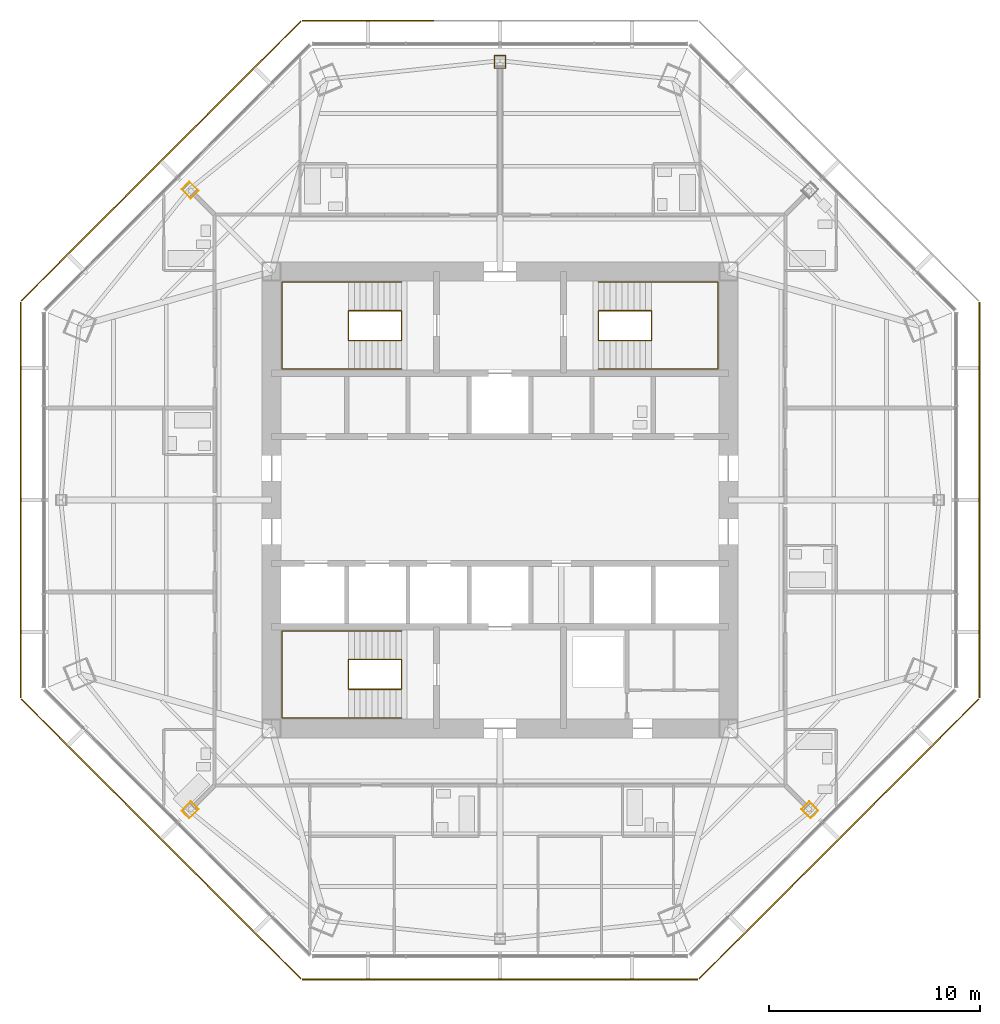
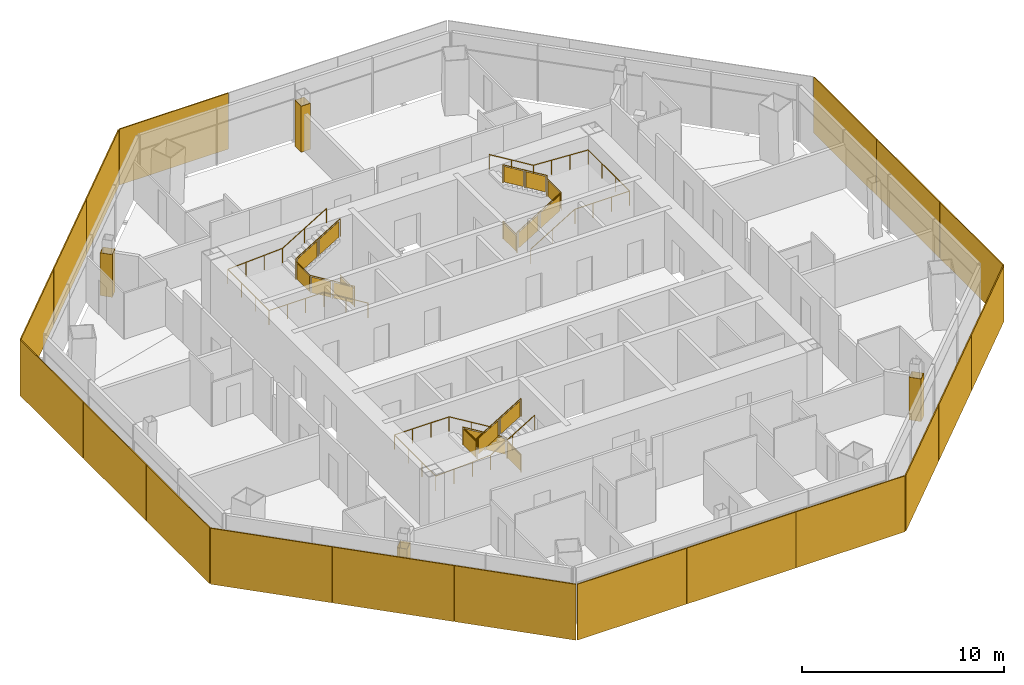
# One storey, part 13 of 15: 19 shading devices, 6 railings, 4 coverings.
"""IFC4 building model written with IfcOpenShell, lengths in metres."""

from ifc_helpers import new_model, si_unit, direction, frame, origin, origin_2d, place, context, subcontext, project, spatial, polyline, rectangle, circle, outline, extrude, source, transform, mapped, material, layer, layer_set, type_object, type_shapes, element, save


model = new_model("IFC4")

# Units and contexts
model_context = context("Model", 3, precision=1e-05, world=origin(), true_north=direction((0.0, 1.0)))
body_context = subcontext(model_context, "Body", "Model", "MODEL_VIEW")
ifc_project = project(units=[si_unit("LENGTHUNIT", "METRE"), si_unit("AREAUNIT", "SQUARE_METRE"), si_unit("VOLUMEUNIT", "CUBIC_METRE"), si_unit("PLANEANGLEUNIT", "RADIAN"), si_unit("MASSUNIT", "GRAM", prefix="KILO")], contexts=[model_context])

# Site, building, storey
site_placement = place(None, origin())
site = spatial("IfcSite", under=ifc_project, at=site_placement, CompositionType="ELEMENT")
building_placement = place(site_placement, origin())
building = spatial("IfcBuilding", under=site, at=building_placement, Name="Mashrafa Tower", CompositionType="ELEMENT")
storey_placement = place(building_placement, frame((0.0, 0.0, 227.800048828125)))
storey = spatial("IfcBuildingStorey", under=building, at=storey_placement, Name="L53", CompositionType="ELEMENT", Elevation=227.800048828125)

# Coverings
ifc_material_1 = material(Name="Gypsum board")
ifc_layer_1 = layer(ifc_material_1, 0.014892578125)
ifc_layer_set_1 = layer_set([ifc_layer_1], Name="Column casing plasterboard 15")
covering_type = type_object("IfcCoveringType", Name="Column casing plasterboard 15", PredefinedType="CLADDING", material=ifc_layer_set_1)
covering_1_placement = place(storey_placement, origin())
element("IfcCovering", 1, at=covering_1_placement, inside=storey, type_object=covering_type, Name="Column casing L53-002", PredefinedType="CLADDING", context=body_context, shape_type="SweptSolid", body=[
    extrude(outline(polyline([(-0.264892578125, 21.03564453125), (0.264892578125, 21.03564453125), (0.264892578125, 20.4091796875), (-0.264892578125, 20.4091796875), (-0.264892578125, 21.03564453125)]), holes=[polyline([(0.25, 20.42431640625), (0.25, 21.020751953125), (-0.25, 21.020751953125), (-0.25, 20.42431640625), (0.25, 20.42431640625)])]), origin(), (0.0, 0.0, 1.0), 2.783447265625),
])
covering_2_placement = place(storey_placement, origin())
element("IfcCovering", 2, at=covering_2_placement, inside=storey, type_object=covering_type, Name="Column casing L53-003", PredefinedType="CLADDING", context=body_context, shape_type="SweptSolid", body=[
    extrude(outline(polyline([(-15.06201171875, 14.68701171875), (-14.68701171875, 15.06201171875), (-14.244140625, 14.618896484375), (-14.618896484375, 14.244140625), (-15.06201171875, 14.68701171875)]), holes=[polyline([(-14.265380859375, 14.618896484375), (-14.68701171875, 15.04052734375), (-15.04052734375, 14.68701171875), (-14.618896484375, 14.265380859375), (-14.265380859375, 14.618896484375)])]), origin(), (0.0, 0.0, 1.0), 2.582763671875),
])
covering_3_placement = place(storey_placement, origin())
element("IfcCovering", 3, at=covering_3_placement, inside=storey, type_object=covering_type, Name="Column casing L53-004", PredefinedType="CLADDING", context=body_context, shape_type="SweptSolid", body=[
    extrude(outline(polyline([(-15.06201171875, -14.68701171875), (-14.618896484375, -14.244140625), (-14.244140625, -14.618896484375), (-14.68701171875, -15.06201171875), (-15.06201171875, -14.68701171875)]), holes=[polyline([(-14.265380859375, -14.618896484375), (-14.618896484375, -14.265380859375), (-15.04052734375, -14.68701171875), (-14.68701171875, -15.04052734375), (-14.265380859375, -14.618896484375)])]), origin(), (0.0, 0.0, 1.0), 2.582763671875),
])
covering_4_placement = place(storey_placement, origin())
element("IfcCovering", 4, at=covering_4_placement, inside=storey, type_object=covering_type, Name="Column casing L53-005", PredefinedType="CLADDING", context=body_context, shape_type="SweptSolid", body=[
    extrude(outline(polyline([(14.244140625, -14.618896484375), (14.618896484375, -14.244140625), (15.06201171875, -14.68701171875), (14.68701171875, -15.06201171875), (14.244140625, -14.618896484375)]), holes=[polyline([(15.04052734375, -14.68701171875), (14.618896484375, -14.265380859375), (14.265380859375, -14.618896484375), (14.68701171875, -15.04052734375), (15.04052734375, -14.68701171875)])]), origin(), (0.0, 0.0, 1.0), 2.582763671875),
])

# Railings
ifc_material_2 = material(Name="Steel guard with glass infill", Category="steel")
railing_type_1 = type_object("IfcRailingType", Name="Stair guard 1100", PredefinedType="GUARDRAIL", material=ifc_material_2)
railing_1_placement = place(storey_placement, frame((-4.64990234375, 8.949951171875, 0.0)))
element("IfcRailing", 5, at=railing_1_placement, inside=storey, type_object=railing_type_1, Name="Stair S1 guard L53", PredefinedType="GUARDRAIL", context=body_context, shape_type="SweptSolid", body=[
    extrude(circle(Radius=0.02392578125, at=origin_2d()), frame((0.0, 0.0, 1.076171875), z_axis=(0.0, -1.0, 0.0), x_axis=(1.0, 0.0, 0.0)), (0.0, 0.0, 1.0), 1.39990234375),
    extrude(circle(Radius=0.02392578125, at=origin_2d()), frame((0.0, -1.39990234375, 1.076171875), z_axis=(0.0, 0.0, 1.0), x_axis=(1.0, 0.0, 0.0)), (0.0, 0.0, 1.0), 0.169921875),
    extrude(circle(Radius=0.02392578125, at=origin_2d()), frame((0.0, -1.39990234375, 1.24609375), z_axis=(-0.85478489116, 0.0, 0.518982456201), x_axis=(0.0, -1.0, 0.0)), (0.0, 0.0, 1.0), 2.9482421875),
    extrude(circle(Radius=0.02392578125, at=origin_2d()), frame((-2.52001953125, -1.39990234375, 2.77587890625), z_axis=(0.0, 1.0, 0.0), x_axis=(-1.0, 0.0, 0.0)), (0.0, 0.0, 1.0), 1.39990234375),
    extrude(circle(Radius=0.02392578125, at=origin_2d()), frame((-2.52001953125, 0.0, 2.77587890625), z_axis=(0.0, 0.0, 1.0), x_axis=(1.0, 0.0, 0.0)), (0.0, 0.0, 1.0), 0.169921875),
    extrude(circle(Radius=0.02392578125, at=origin_2d()), frame((-2.52001953125, 0.0, 2.94580078125), z_axis=(0.85478489116, 0.0, 0.518982456201), x_axis=(0.0, 1.0, 0.0)), (0.0, 0.0, 1.0), 2.9482421875),
    extrude(circle(Radius=0.02099609375, at=origin_2d()), origin(), (0.0, 0.0, 1.0), 1.052001953125),
    extrude(circle(Radius=0.02099609375, at=origin_2d()), frame((0.0, -1.39990234375, 0.0)), (0.0, 0.0, 1.0), 1.052001953125),
    extrude(circle(Radius=0.02099609375, at=origin_2d()), frame((0.0, -1.39990234375, 0.169921875)), (0.0, 0.0, 1.0), 1.052001953125),
    extrude(circle(Radius=0.02099609375, at=origin_2d()), frame((-1.260009765625, -1.39990234375, 0.93505859375)), (0.0, 0.0, 1.0), 1.052001953125),
    extrude(circle(Radius=0.02099609375, at=origin_2d()), frame((-2.52001953125, -1.39990234375, 1.699951171875)), (0.0, 0.0, 1.0), 1.052001953125),
    extrude(circle(Radius=0.02099609375, at=origin_2d()), frame((-2.52001953125, 0.0, 1.699951171875)), (0.0, 0.0, 1.0), 1.052001953125),
    extrude(circle(Radius=0.02099609375, at=origin_2d()), frame((-2.52001953125, 0.0, 1.869873046875)), (0.0, 0.0, 1.0), 1.052001953125),
    extrude(circle(Radius=0.02099609375, at=origin_2d()), frame((-1.260009765625, 0.0, 2.634765625)), (0.0, 0.0, 1.0), 1.052001953125),
    extrude(circle(Radius=0.02099609375, at=origin_2d()), frame((0.0, 0.0, 3.39990234375)), (0.0, 0.0, 1.0), 1.052001953125),
    extrude(outline(polyline([(0.071044921875, 0.050048828125), (1.328857421875, 0.050048828125), (1.328857421875, 1.001953125), (0.071044921875, 1.001953125), (0.071044921875, 0.050048828125)])), frame((-0.006103515625, 0.0, 0.0), z_axis=(-1.0, 0.0, 0.0), x_axis=(0.0, -1.0, 0.0)), (0.0, 0.0, 1.0), 0.011962890625),
    extrude(outline(polyline([(0.071044921875, 0.093017578125), (1.18896484375, 0.77197265625), (1.18896484375, 1.723876953125), (0.071044921875, 1.045166015625), (0.071044921875, 0.093017578125)])), frame((0.0, -1.393798828125, 0.169921875), z_axis=(0.0, 1.0, 0.0), x_axis=(-1.0, 0.0, 0.0)), (0.0, 0.0, 1.0), 0.011962890625),
    extrude(outline(polyline([(1.3310546875, 0.858154296875), (2.448974609375, 1.536865234375), (2.448974609375, 2.489013671875), (1.3310546875, 1.81005859375), (1.3310546875, 0.858154296875)])), frame((0.0, -1.393798828125, 0.169921875), z_axis=(0.0, 1.0, 0.0), x_axis=(-1.0, 0.0, 0.0)), (0.0, 0.0, 1.0), 0.011962890625),
    extrude(outline(polyline([(0.071044921875, 0.050048828125), (1.328857421875, 0.050048828125), (1.328857421875, 1.001953125), (0.071044921875, 1.001953125), (0.071044921875, 0.050048828125)])), frame((-2.513916015625, -1.39990234375, 1.699951171875), z_axis=(1.0, 0.0, 0.0), x_axis=(0.0, 1.0, 0.0)), (0.0, 0.0, 1.0), 0.011962890625),
    extrude(outline(polyline([(0.071044921875, 0.093017578125), (1.18896484375, 0.77197265625), (1.18896484375, 1.723876953125), (0.071044921875, 1.045166015625), (0.071044921875, 0.093017578125)])), frame((-2.52001953125, -0.006103515625, 1.869873046875), z_axis=(0.0, -1.0, 0.0), x_axis=(1.0, 0.0, 0.0)), (0.0, 0.0, 1.0), 0.011962890625),
    extrude(outline(polyline([(1.3310546875, 0.858154296875), (2.448974609375, 1.536865234375), (2.448974609375, 2.489013671875), (1.3310546875, 1.81005859375), (1.3310546875, 0.858154296875)])), frame((-2.52001953125, -0.006103515625, 1.869873046875), z_axis=(0.0, -1.0, 0.0), x_axis=(1.0, 0.0, 0.0)), (0.0, 0.0, 1.0), 0.011962890625),
])
railing_2_placement = place(storey_placement, frame((4.64990234375, 8.949951171875, 0.0)))
element("IfcRailing", 6, at=railing_2_placement, inside=storey, type_object=railing_type_1, Name="Stair S2 guard L53", PredefinedType="GUARDRAIL", context=body_context, shape_type="SweptSolid", body=[
    extrude(circle(Radius=0.02392578125, at=origin_2d()), frame((0.0, 0.0, 1.076171875), z_axis=(0.0, -1.0, 0.0), x_axis=(1.0, 0.0, 0.0)), (0.0, 0.0, 1.0), 1.39990234375),
    extrude(circle(Radius=0.02392578125, at=origin_2d()), frame((0.0, -1.39990234375, 1.076171875), z_axis=(0.0, 0.0, 1.0), x_axis=(1.0, 0.0, 0.0)), (0.0, 0.0, 1.0), 0.169921875),
    extrude(circle(Radius=0.02392578125, at=origin_2d()), frame((0.0, -1.39990234375, 1.24609375), z_axis=(0.85478489116, 0.0, 0.518982456201), x_axis=(0.0, 1.0, 0.0)), (0.0, 0.0, 1.0), 2.9482421875),
    extrude(circle(Radius=0.02392578125, at=origin_2d()), frame((2.52001953125, -1.39990234375, 2.77587890625), z_axis=(0.0, 1.0, 0.0), x_axis=(-1.0, 0.0, 0.0)), (0.0, 0.0, 1.0), 1.39990234375),
    extrude(circle(Radius=0.02392578125, at=origin_2d()), frame((2.52001953125, 0.0, 2.77587890625), z_axis=(0.0, 0.0, 1.0), x_axis=(1.0, 0.0, 0.0)), (0.0, 0.0, 1.0), 0.169921875),
    extrude(circle(Radius=0.02392578125, at=origin_2d()), frame((2.52001953125, 0.0, 2.94580078125), z_axis=(-0.85478489116, 0.0, 0.518982456201), x_axis=(0.0, -1.0, 0.0)), (0.0, 0.0, 1.0), 2.9482421875),
    extrude(circle(Radius=0.02099609375, at=origin_2d()), origin(), (0.0, 0.0, 1.0), 1.052001953125),
    extrude(circle(Radius=0.02099609375, at=origin_2d()), frame((0.0, -1.39990234375, 0.0)), (0.0, 0.0, 1.0), 1.052001953125),
    extrude(circle(Radius=0.02099609375, at=origin_2d()), frame((0.0, -1.39990234375, 0.169921875)), (0.0, 0.0, 1.0), 1.052001953125),
    extrude(circle(Radius=0.02099609375, at=origin_2d()), frame((1.260009765625, -1.39990234375, 0.93505859375)), (0.0, 0.0, 1.0), 1.052001953125),
    extrude(circle(Radius=0.02099609375, at=origin_2d()), frame((2.52001953125, -1.39990234375, 1.699951171875)), (0.0, 0.0, 1.0), 1.052001953125),
    extrude(circle(Radius=0.02099609375, at=origin_2d()), frame((2.52001953125, 0.0, 1.699951171875)), (0.0, 0.0, 1.0), 1.052001953125),
    extrude(circle(Radius=0.02099609375, at=origin_2d()), frame((2.52001953125, 0.0, 1.869873046875)), (0.0, 0.0, 1.0), 1.052001953125),
    extrude(circle(Radius=0.02099609375, at=origin_2d()), frame((1.260009765625, 0.0, 2.634765625)), (0.0, 0.0, 1.0), 1.052001953125),
    extrude(circle(Radius=0.02099609375, at=origin_2d()), frame((0.0, 0.0, 3.39990234375)), (0.0, 0.0, 1.0), 1.052001953125),
    extrude(outline(polyline([(0.071044921875, 0.050048828125), (1.328857421875, 0.050048828125), (1.328857421875, 1.001953125), (0.071044921875, 1.001953125), (0.071044921875, 0.050048828125)])), frame((-0.006103515625, 0.0, 0.0), z_axis=(-1.0, 0.0, 0.0), x_axis=(0.0, -1.0, 0.0)), (0.0, 0.0, 1.0), 0.011962890625),
    extrude(outline(polyline([(0.071044921875, 0.093017578125), (1.18896484375, 0.77197265625), (1.18896484375, 1.723876953125), (0.071044921875, 1.045166015625), (0.071044921875, 0.093017578125)])), frame((0.0, -1.406005859375, 0.169921875), z_axis=(0.0, -1.0, 0.0), x_axis=(1.0, 0.0, 0.0)), (0.0, 0.0, 1.0), 0.011962890625),
    extrude(outline(polyline([(1.3310546875, 0.858154296875), (2.448974609375, 1.536865234375), (2.448974609375, 2.489013671875), (1.3310546875, 1.81005859375), (1.3310546875, 0.858154296875)])), frame((0.0, -1.406005859375, 0.169921875), z_axis=(0.0, -1.0, 0.0), x_axis=(1.0, 0.0, 0.0)), (0.0, 0.0, 1.0), 0.011962890625),
    extrude(outline(polyline([(0.071044921875, 0.050048828125), (1.328857421875, 0.050048828125), (1.328857421875, 1.001953125), (0.071044921875, 1.001953125), (0.071044921875, 0.050048828125)])), frame((2.526123046875, -1.39990234375, 1.699951171875), z_axis=(1.0, 0.0, 0.0), x_axis=(0.0, 1.0, 0.0)), (0.0, 0.0, 1.0), 0.011962890625),
    extrude(outline(polyline([(0.071044921875, 0.093017578125), (1.18896484375, 0.77197265625), (1.18896484375, 1.723876953125), (0.071044921875, 1.045166015625), (0.071044921875, 0.093017578125)])), frame((2.52001953125, 0.006103515625, 1.869873046875), z_axis=(0.0, 1.0, 0.0), x_axis=(-1.0, 0.0, 0.0)), (0.0, 0.0, 1.0), 0.011962890625),
    extrude(outline(polyline([(1.3310546875, 0.858154296875), (2.448974609375, 1.536865234375), (2.448974609375, 2.489013671875), (1.3310546875, 1.81005859375), (1.3310546875, 0.858154296875)])), frame((2.52001953125, 0.006103515625, 1.869873046875), z_axis=(0.0, 1.0, 0.0), x_axis=(-1.0, 0.0, 0.0)), (0.0, 0.0, 1.0), 0.011962890625),
])
railing_3_placement = place(storey_placement, frame((-4.64990234375, -8.949951171875, 0.0)))
element("IfcRailing", 7, at=railing_3_placement, inside=storey, type_object=railing_type_1, Name="Stair S3 guard L53", PredefinedType="GUARDRAIL", context=body_context, shape_type="SweptSolid", body=[
    extrude(circle(Radius=0.02392578125, at=origin_2d()), frame((0.0, 0.0, 1.076171875), z_axis=(0.0, 1.0, 0.0), x_axis=(-1.0, 0.0, 0.0)), (0.0, 0.0, 1.0), 1.39990234375),
    extrude(circle(Radius=0.02392578125, at=origin_2d()), frame((0.0, 1.39990234375, 1.076171875), z_axis=(0.0, 0.0, 1.0), x_axis=(1.0, 0.0, 0.0)), (0.0, 0.0, 1.0), 0.169921875),
    extrude(circle(Radius=0.02392578125, at=origin_2d()), frame((0.0, 1.39990234375, 1.24609375), z_axis=(-0.85478489116, 0.0, 0.518982456201), x_axis=(0.0, -1.0, 0.0)), (0.0, 0.0, 1.0), 2.9482421875),
    extrude(circle(Radius=0.02392578125, at=origin_2d()), frame((-2.52001953125, 1.39990234375, 2.77587890625), z_axis=(0.0, -1.0, 0.0), x_axis=(1.0, 0.0, 0.0)), (0.0, 0.0, 1.0), 1.39990234375),
    extrude(circle(Radius=0.02392578125, at=origin_2d()), frame((-2.52001953125, 0.0, 2.77587890625), z_axis=(0.0, 0.0, 1.0), x_axis=(1.0, 0.0, 0.0)), (0.0, 0.0, 1.0), 0.169921875),
    extrude(circle(Radius=0.02392578125, at=origin_2d()), frame((-2.52001953125, 0.0, 2.94580078125), z_axis=(0.85478489116, 0.0, 0.518982456201), x_axis=(0.0, 1.0, 0.0)), (0.0, 0.0, 1.0), 2.9482421875),
    extrude(circle(Radius=0.02099609375, at=origin_2d()), origin(), (0.0, 0.0, 1.0), 1.052001953125),
    extrude(circle(Radius=0.02099609375, at=origin_2d()), frame((0.0, 1.39990234375, 0.0)), (0.0, 0.0, 1.0), 1.052001953125),
    extrude(circle(Radius=0.02099609375, at=origin_2d()), frame((0.0, 1.39990234375, 0.169921875)), (0.0, 0.0, 1.0), 1.052001953125),
    extrude(circle(Radius=0.02099609375, at=origin_2d()), frame((-1.260009765625, 1.39990234375, 0.93505859375)), (0.0, 0.0, 1.0), 1.052001953125),
    extrude(circle(Radius=0.02099609375, at=origin_2d()), frame((-2.52001953125, 1.39990234375, 1.699951171875)), (0.0, 0.0, 1.0), 1.052001953125),
    extrude(circle(Radius=0.02099609375, at=origin_2d()), frame((-2.52001953125, 0.0, 1.699951171875)), (0.0, 0.0, 1.0), 1.052001953125),
    extrude(circle(Radius=0.02099609375, at=origin_2d()), frame((-2.52001953125, 0.0, 1.869873046875)), (0.0, 0.0, 1.0), 1.052001953125),
    extrude(circle(Radius=0.02099609375, at=origin_2d()), frame((-1.260009765625, 0.0, 2.634765625)), (0.0, 0.0, 1.0), 1.052001953125),
    extrude(circle(Radius=0.02099609375, at=origin_2d()), frame((0.0, 0.0, 3.39990234375)), (0.0, 0.0, 1.0), 1.052001953125),
    extrude(outline(polyline([(0.071044921875, 0.050048828125), (1.328857421875, 0.050048828125), (1.328857421875, 1.001953125), (0.071044921875, 1.001953125), (0.071044921875, 0.050048828125)])), frame((0.006103515625, 0.0, 0.0), z_axis=(1.0, 0.0, 0.0), x_axis=(0.0, 1.0, 0.0)), (0.0, 0.0, 1.0), 0.011962890625),
    extrude(outline(polyline([(0.071044921875, 0.093017578125), (1.18896484375, 0.77197265625), (1.18896484375, 1.723876953125), (0.071044921875, 1.045166015625), (0.071044921875, 0.093017578125)])), frame((0.0, 1.406005859375, 0.169921875), z_axis=(0.0, 1.0, 0.0), x_axis=(-1.0, 0.0, 0.0)), (0.0, 0.0, 1.0), 0.011962890625),
    extrude(outline(polyline([(1.3310546875, 0.858154296875), (2.448974609375, 1.536865234375), (2.448974609375, 2.489013671875), (1.3310546875, 1.81005859375), (1.3310546875, 0.858154296875)])), frame((0.0, 1.406005859375, 0.169921875), z_axis=(0.0, 1.0, 0.0), x_axis=(-1.0, 0.0, 0.0)), (0.0, 0.0, 1.0), 0.011962890625),
    extrude(outline(polyline([(0.071044921875, 0.050048828125), (1.328857421875, 0.050048828125), (1.328857421875, 1.001953125), (0.071044921875, 1.001953125), (0.071044921875, 0.050048828125)])), frame((-2.526123046875, 1.39990234375, 1.699951171875), z_axis=(-1.0, 0.0, 0.0), x_axis=(0.0, -1.0, 0.0)), (0.0, 0.0, 1.0), 0.011962890625),
    extrude(outline(polyline([(0.071044921875, 0.093017578125), (1.18896484375, 0.77197265625), (1.18896484375, 1.723876953125), (0.071044921875, 1.045166015625), (0.071044921875, 0.093017578125)])), frame((-2.52001953125, -0.006103515625, 1.869873046875), z_axis=(0.0, -1.0, 0.0), x_axis=(1.0, 0.0, 0.0)), (0.0, 0.0, 1.0), 0.011962890625),
    extrude(outline(polyline([(1.3310546875, 0.858154296875), (2.448974609375, 1.536865234375), (2.448974609375, 2.489013671875), (1.3310546875, 1.81005859375), (1.3310546875, 0.858154296875)])), frame((-2.52001953125, -0.006103515625, 1.869873046875), z_axis=(0.0, -1.0, 0.0), x_axis=(1.0, 0.0, 0.0)), (0.0, 0.0, 1.0), 0.011962890625),
])
ifc_material_3 = material(Name="Steel", Category="steel")
railing_type_2 = type_object("IfcRailingType", Name="Stair handrail 900", PredefinedType="HANDRAIL", material=ifc_material_3)
railing_4_placement = place(storey_placement, frame((-4.64990234375, 6.199951171875, 0.169921875)))
element("IfcRailing", 8, at=railing_4_placement, inside=storey, type_object=railing_type_2, Name="Stair S1 handrail L53", PredefinedType="HANDRAIL", context=body_context, shape_type="SweptSolid", body=[
    extrude(circle(Radius=0.02392578125, at=origin_2d()), frame((0.0, 0.0, 0.8759765625), z_axis=(-0.85478489116, 0.0, 0.518982456201), x_axis=(0.0, -1.0, 0.0)), (0.0, 0.0, 1.0), 2.9482421875),
    extrude(circle(Radius=0.02392578125, at=origin_2d()), frame((-2.52001953125, 0.0, 2.40576171875), z_axis=(-1.0, 0.0, 0.0), x_axis=(0.0, -1.0, 0.0)), (0.0, 0.0, 1.0), 3.130126953125),
    extrude(circle(Radius=0.02392578125, at=origin_2d()), frame((-5.650146484375, 0.0, 2.40576171875), z_axis=(0.0, 1.0, 0.0), x_axis=(-1.0, 0.0, 0.0)), (0.0, 0.0, 1.0), 4.10009765625),
    extrude(circle(Radius=0.02392578125, at=origin_2d()), frame((-5.650146484375, 4.10009765625, 2.40576171875), z_axis=(0.998529767259, 0.0, 0.054206124172), x_axis=(0.0, 1.0, 0.0)), (0.0, 0.0, 1.0), 3.134765625),
    extrude(circle(Radius=0.02392578125, at=origin_2d()), frame((-2.52001953125, 4.10009765625, 2.57568359375), z_axis=(0.85478489116, 0.0, 0.518982456201), x_axis=(0.0, 1.0, 0.0)), (0.0, 0.0, 1.0), 2.9482421875),
    extrude(circle(Radius=0.02099609375, at=origin_2d()), origin(), (0.0, 0.0, 1.0), 0.851806640625),
    extrude(circle(Radius=0.02099609375, at=origin_2d()), frame((-1.260009765625, 0.0, 0.76513671875)), (0.0, 0.0, 1.0), 0.851806640625),
    extrude(circle(Radius=0.02099609375, at=origin_2d()), frame((-2.52001953125, 0.0, 1.530029296875)), (0.0, 0.0, 1.0), 0.851806640625),
    extrude(circle(Radius=0.02099609375, at=origin_2d()), frame((-3.5634765625, 0.0, 1.530029296875)), (0.0, 0.0, 1.0), 0.851806640625),
    extrude(circle(Radius=0.02099609375, at=origin_2d()), frame((-4.606689453125, 0.0, 1.530029296875)), (0.0, 0.0, 1.0), 0.851806640625),
    extrude(circle(Radius=0.02099609375, at=origin_2d()), frame((-5.650146484375, 0.0, 1.530029296875)), (0.0, 0.0, 1.0), 0.851806640625),
    extrude(circle(Radius=0.02099609375, at=origin_2d()), frame((-5.650146484375, 1.36669921875, 1.530029296875)), (0.0, 0.0, 1.0), 0.851806640625),
    extrude(circle(Radius=0.02099609375, at=origin_2d()), frame((-5.650146484375, 2.7333984375, 1.530029296875)), (0.0, 0.0, 1.0), 0.851806640625),
    extrude(circle(Radius=0.02099609375, at=origin_2d()), frame((-5.650146484375, 4.10009765625, 1.530029296875)), (0.0, 0.0, 1.0), 0.851806640625),
    extrude(circle(Radius=0.02099609375, at=origin_2d()), frame((-4.606689453125, 4.10009765625, 1.586669921875)), (0.0, 0.0, 1.0), 0.851806640625),
    extrude(circle(Radius=0.02099609375, at=origin_2d()), frame((-3.5634765625, 4.10009765625, 1.643310546875)), (0.0, 0.0, 1.0), 0.851806640625),
    extrude(circle(Radius=0.02099609375, at=origin_2d()), frame((-2.52001953125, 4.10009765625, 1.699951171875)), (0.0, 0.0, 1.0), 0.851806640625),
    extrude(circle(Radius=0.02099609375, at=origin_2d()), frame((-1.260009765625, 4.10009765625, 2.46484375)), (0.0, 0.0, 1.0), 0.851806640625),
    extrude(circle(Radius=0.02099609375, at=origin_2d()), frame((0.0, 4.10009765625, 3.22998046875)), (0.0, 0.0, 1.0), 0.851806640625),
])
railing_5_placement = place(storey_placement, frame((4.64990234375, 6.199951171875, 0.169921875)))
element("IfcRailing", 9, at=railing_5_placement, inside=storey, type_object=railing_type_2, Name="Stair S2 handrail L53", PredefinedType="HANDRAIL", context=body_context, shape_type="SweptSolid", body=[
    extrude(circle(Radius=0.02392578125, at=origin_2d()), frame((0.0, 0.0, 0.8759765625), z_axis=(0.85478489116, 0.0, 0.518982456201), x_axis=(0.0, 1.0, 0.0)), (0.0, 0.0, 1.0), 2.9482421875),
    extrude(circle(Radius=0.02392578125, at=origin_2d()), frame((2.52001953125, 0.0, 2.40576171875), z_axis=(1.0, 0.0, 0.0), x_axis=(0.0, 1.0, 0.0)), (0.0, 0.0, 1.0), 3.130126953125),
    extrude(circle(Radius=0.02392578125, at=origin_2d()), frame((5.650146484375, 0.0, 2.40576171875), z_axis=(0.0, 1.0, 0.0), x_axis=(-1.0, 0.0, 0.0)), (0.0, 0.0, 1.0), 4.10009765625),
    extrude(circle(Radius=0.02392578125, at=origin_2d()), frame((5.650146484375, 4.10009765625, 2.40576171875), z_axis=(-0.998529767259, 0.0, 0.054206124172), x_axis=(0.0, -1.0, 0.0)), (0.0, 0.0, 1.0), 3.134765625),
    extrude(circle(Radius=0.02392578125, at=origin_2d()), frame((2.52001953125, 4.10009765625, 2.57568359375), z_axis=(-0.85478489116, 0.0, 0.518982456201), x_axis=(0.0, -1.0, 0.0)), (0.0, 0.0, 1.0), 2.9482421875),
    extrude(circle(Radius=0.02099609375, at=origin_2d()), origin(), (0.0, 0.0, 1.0), 0.851806640625),
    extrude(circle(Radius=0.02099609375, at=origin_2d()), frame((1.260009765625, 0.0, 0.76513671875)), (0.0, 0.0, 1.0), 0.851806640625),
    extrude(circle(Radius=0.02099609375, at=origin_2d()), frame((2.52001953125, 0.0, 1.530029296875)), (0.0, 0.0, 1.0), 0.851806640625),
    extrude(circle(Radius=0.02099609375, at=origin_2d()), frame((3.5634765625, 0.0, 1.530029296875)), (0.0, 0.0, 1.0), 0.851806640625),
    extrude(circle(Radius=0.02099609375, at=origin_2d()), frame((4.606689453125, 0.0, 1.530029296875)), (0.0, 0.0, 1.0), 0.851806640625),
    extrude(circle(Radius=0.02099609375, at=origin_2d()), frame((5.650146484375, 0.0, 1.530029296875)), (0.0, 0.0, 1.0), 0.851806640625),
    extrude(circle(Radius=0.02099609375, at=origin_2d()), frame((5.650146484375, 1.36669921875, 1.530029296875)), (0.0, 0.0, 1.0), 0.851806640625),
    extrude(circle(Radius=0.02099609375, at=origin_2d()), frame((5.650146484375, 2.7333984375, 1.530029296875)), (0.0, 0.0, 1.0), 0.851806640625),
    extrude(circle(Radius=0.02099609375, at=origin_2d()), frame((5.650146484375, 4.10009765625, 1.530029296875)), (0.0, 0.0, 1.0), 0.851806640625),
    extrude(circle(Radius=0.02099609375, at=origin_2d()), frame((4.606689453125, 4.10009765625, 1.586669921875)), (0.0, 0.0, 1.0), 0.851806640625),
    extrude(circle(Radius=0.02099609375, at=origin_2d()), frame((3.5634765625, 4.10009765625, 1.643310546875)), (0.0, 0.0, 1.0), 0.851806640625),
    extrude(circle(Radius=0.02099609375, at=origin_2d()), frame((2.52001953125, 4.10009765625, 1.699951171875)), (0.0, 0.0, 1.0), 0.851806640625),
    extrude(circle(Radius=0.02099609375, at=origin_2d()), frame((1.260009765625, 4.10009765625, 2.46484375)), (0.0, 0.0, 1.0), 0.851806640625),
    extrude(circle(Radius=0.02099609375, at=origin_2d()), frame((0.0, 4.10009765625, 3.22998046875)), (0.0, 0.0, 1.0), 0.851806640625),
])
railing_6_placement = place(storey_placement, frame((-4.64990234375, -6.199951171875, 0.169921875)))
element("IfcRailing", 10, at=railing_6_placement, inside=storey, type_object=railing_type_2, Name="Stair S3 handrail L53", PredefinedType="HANDRAIL", context=body_context, shape_type="SweptSolid", body=[
    extrude(circle(Radius=0.02392578125, at=origin_2d()), frame((0.0, 0.0, 0.8759765625), z_axis=(-0.85478489116, 0.0, 0.518982456201), x_axis=(0.0, -1.0, 0.0)), (0.0, 0.0, 1.0), 2.9482421875),
    extrude(circle(Radius=0.02392578125, at=origin_2d()), frame((-2.52001953125, 0.0, 2.40576171875), z_axis=(-1.0, 0.0, 0.0), x_axis=(0.0, -1.0, 0.0)), (0.0, 0.0, 1.0), 3.130126953125),
    extrude(circle(Radius=0.02392578125, at=origin_2d()), frame((-5.650146484375, 0.0, 2.40576171875), z_axis=(0.0, -1.0, 0.0), x_axis=(1.0, 0.0, 0.0)), (0.0, 0.0, 1.0), 4.10009765625),
    extrude(circle(Radius=0.02392578125, at=origin_2d()), frame((-5.650146484375, -4.10009765625, 2.40576171875), z_axis=(0.998529767259, 0.0, 0.054206124172), x_axis=(0.0, 1.0, 0.0)), (0.0, 0.0, 1.0), 3.134765625),
    extrude(circle(Radius=0.02392578125, at=origin_2d()), frame((-2.52001953125, -4.10009765625, 2.57568359375), z_axis=(0.85478489116, 0.0, 0.518982456201), x_axis=(0.0, 1.0, 0.0)), (0.0, 0.0, 1.0), 2.9482421875),
    extrude(circle(Radius=0.02099609375, at=origin_2d()), origin(), (0.0, 0.0, 1.0), 0.851806640625),
    extrude(circle(Radius=0.02099609375, at=origin_2d()), frame((-1.260009765625, 0.0, 0.76513671875)), (0.0, 0.0, 1.0), 0.851806640625),
    extrude(circle(Radius=0.02099609375, at=origin_2d()), frame((-2.52001953125, 0.0, 1.530029296875)), (0.0, 0.0, 1.0), 0.851806640625),
    extrude(circle(Radius=0.02099609375, at=origin_2d()), frame((-3.5634765625, 0.0, 1.530029296875)), (0.0, 0.0, 1.0), 0.851806640625),
    extrude(circle(Radius=0.02099609375, at=origin_2d()), frame((-4.606689453125, 0.0, 1.530029296875)), (0.0, 0.0, 1.0), 0.851806640625),
    extrude(circle(Radius=0.02099609375, at=origin_2d()), frame((-5.650146484375, 0.0, 1.530029296875)), (0.0, 0.0, 1.0), 0.851806640625),
    extrude(circle(Radius=0.02099609375, at=origin_2d()), frame((-5.650146484375, -1.36669921875, 1.530029296875)), (0.0, 0.0, 1.0), 0.851806640625),
    extrude(circle(Radius=0.02099609375, at=origin_2d()), frame((-5.650146484375, -2.7333984375, 1.530029296875)), (0.0, 0.0, 1.0), 0.851806640625),
    extrude(circle(Radius=0.02099609375, at=origin_2d()), frame((-5.650146484375, -4.10009765625, 1.530029296875)), (0.0, 0.0, 1.0), 0.851806640625),
    extrude(circle(Radius=0.02099609375, at=origin_2d()), frame((-4.606689453125, -4.10009765625, 1.586669921875)), (0.0, 0.0, 1.0), 0.851806640625),
    extrude(circle(Radius=0.02099609375, at=origin_2d()), frame((-3.5634765625, -4.10009765625, 1.643310546875)), (0.0, 0.0, 1.0), 0.851806640625),
    extrude(circle(Radius=0.02099609375, at=origin_2d()), frame((-2.52001953125, -4.10009765625, 1.699951171875)), (0.0, 0.0, 1.0), 0.851806640625),
    extrude(circle(Radius=0.02099609375, at=origin_2d()), frame((-1.260009765625, -4.10009765625, 2.46484375)), (0.0, 0.0, 1.0), 0.851806640625),
    extrude(circle(Radius=0.02099609375, at=origin_2d()), frame((0.0, -4.10009765625, 3.22998046875)), (0.0, 0.0, 1.0), 0.851806640625),
])

# Shading devices
ifc_material_4 = material(Name="Perforated aluminium plate, eight-point star pattern", Category="aluminium")
ifc_layer_2 = layer(ifc_material_4, 0.06005859375)
ifc_layer_set_2 = layer_set([ifc_layer_2], Name="Mashrabiya screen panel apartment zone 3, 28 percent open")
shading_device_type = type_object("IfcShadingDeviceType", Name="Mashrabiya screen panel apartment zone 3, 28 percent open", PredefinedType="SHUTTER", material=ifc_layer_set_2)
shared_shape = source(origin(), body_context, "Body", "SweptSolid", [
    extrude(rectangle(XDim=6.225341796875, YDim=0.06005859375, at=origin_2d()), origin(), (0.0, 0.0, 1.0), 3.3798828125),
])
type_shapes(shading_device_type, [shared_shape])
for number, where, z_axis, x_axis, name in (
    (11, (22.670654296875, -6.245361328125, -0.14990234375), (0.0, 0.0, 1.0), (0.0, 1.0, 0.0), "Mashrabiya screen L53 east 1"),
    (12, (22.670654296875, 0.0, -0.14990234375), (0.0, 0.0, 1.0), (0.0, 1.0, 0.0), "Mashrabiya screen L53 east 2"),
    (13, (22.670654296875, 6.245361328125, -0.14990234375), (0.0, 0.0, 1.0), (0.0, 1.0, 0.0), "Mashrabiya screen L53 east 3"),
    (14, (-6.245361328125, 22.670654296875, -0.14990234375), (0.0, 0.0, 1.0), (-1.0, 0.0, 0.0), "Mashrabiya screen L53 north 3"),
    (15, (-11.614501953125, 20.446533203125, -0.14990234375), (0.0, 0.0, 1.0), (-0.707106781187, -0.707106781187, 0.0), "Mashrabiya screen L53 north-west 1"),
    (16, (-16.030517578125, 16.030517578125, -0.14990234375), (0.0, 0.0, 1.0), (-0.707106781187, -0.707106781187, 0.0), "Mashrabiya screen L53 north-west 2"),
    (17, (-20.446533203125, 11.614501953125, -0.14990234375), (0.0, 0.0, 1.0), (-0.707106781187, -0.707106781187, 0.0), "Mashrabiya screen L53 north-west 3"),
    (18, (-22.670654296875, 6.245361328125, -0.14990234375), (0.0, 0.0, 1.0), (0.0, -1.0, 0.0), "Mashrabiya screen L53 west 1"),
    (19, (-22.670654296875, 0.0, -0.14990234375), (0.0, 0.0, 1.0), (0.0, -1.0, 0.0), "Mashrabiya screen L53 west 2"),
    (20, (-22.670654296875, -6.245361328125, -0.14990234375), (0.0, 0.0, 1.0), (0.0, -1.0, 0.0), "Mashrabiya screen L53 west 3"),
    (21, (-20.446533203125, -11.614501953125, -0.14990234375), (0.0, 0.0, 1.0), (0.707106781187, -0.707106781187, 0.0), "Mashrabiya screen L53 south-west 1"),
    (22, (-16.030517578125, -16.030517578125, -0.14990234375), (0.0, 0.0, 1.0), (0.707106781187, -0.707106781187, 0.0), "Mashrabiya screen L53 south-west 2"),
    (23, (-11.614501953125, -20.446533203125, -0.14990234375), (0.0, 0.0, 1.0), (0.707106781187, -0.707106781187, 0.0), "Mashrabiya screen L53 south-west 3"),
    (24, (-6.245361328125, -22.670654296875, -0.14990234375), (0.0, 0.0, 1.0), (1.0, 0.0, 0.0), "Mashrabiya screen L53 south 1"),
    (25, (0.0, -22.670654296875, -0.14990234375), (0.0, 0.0, 1.0), (1.0, 0.0, 0.0), "Mashrabiya screen L53 south 2"),
    (26, (6.245361328125, -22.670654296875, -0.14990234375), (0.0, 0.0, 1.0), (1.0, 0.0, 0.0), "Mashrabiya screen L53 south 3"),
    (27, (11.614501953125, -20.446533203125, -0.14990234375), (0.0, 0.0, 1.0), (0.707106781187, 0.707106781187, 0.0), "Mashrabiya screen L53 south-east 1"),
    (28, (16.030517578125, -16.030517578125, -0.14990234375), (0.0, 0.0, 1.0), (0.707106781187, 0.707106781187, 0.0), "Mashrabiya screen L53 south-east 2"),
    (29, (20.446533203125, -11.614501953125, -0.14990234375), (0.0, 0.0, 1.0), (0.707106781187, 0.707106781187, 0.0), "Mashrabiya screen L53 south-east 3"),
):
    element("IfcShadingDevice", number, at=place(storey_placement, frame(where, z_axis=z_axis, x_axis=x_axis)), inside=storey, type_object=shading_device_type, Name=name, PredefinedType="SHUTTER", context=body_context, shape_type="MappedRepresentation", body=[
        mapped(shared_shape, transform((0.0, 0.0, 0.0))),
    ])

save(model, "model.ifc")
